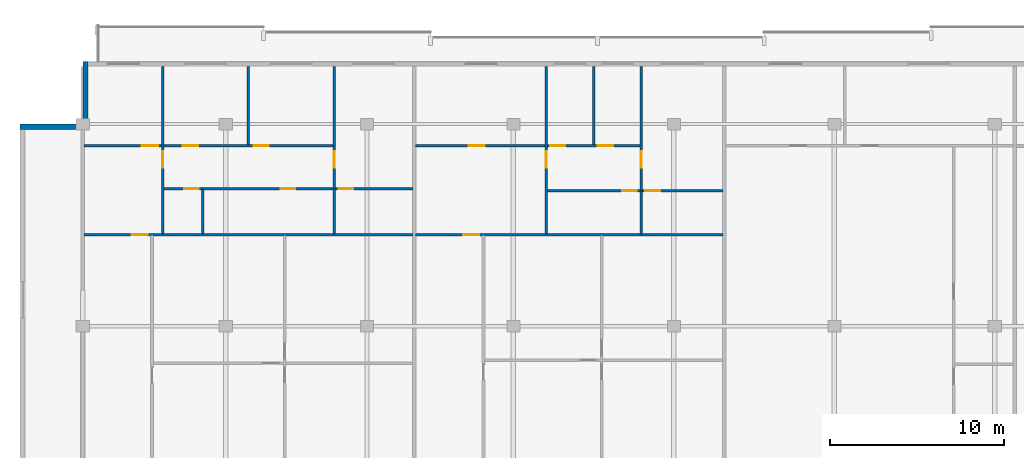
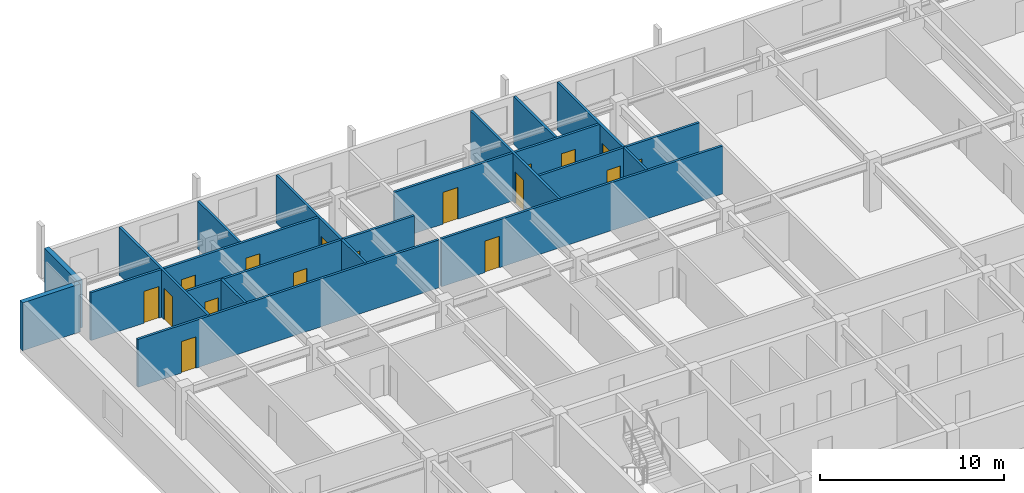
# One storey, part 7 of 11: 17 doors, 17 walls, 17 openings.
"""IFC4 building model written with IfcOpenShell, lengths in metres."""

import ifcopenshell
import ifcopenshell.guid

model = None  # the IFC model being written
_history = None  # IfcOwnerHistory: only IFC2X3 demands one
_inside = {}  # id of a spatial element -> (the spatial element, [elements in it])
_under = {}  # id of a project, library or spatial element -> (it, [spatial elements below it])
_declared = {}  # id of a project -> (the project, [libraries it declares])
_typed = {}  # id of a type object -> (the type object, [elements of that type])
_made_of = {}  # id of a material, layer set ... -> (it, [elements and type objects made of it])


def new_model(schema):
    """Start an empty IFC model of exactly this schema.

    Asked for "IFC4X3", IfcOpenShell would pick the latest addendum, in which some entities
    have other attributes; the version numbers below select the first issue.
    IFC2X3 requires an IfcOwnerHistory on every rooted entity: one is made here for all.
    """
    global model, _history
    if schema == "IFC4X3":
        model = ifcopenshell.file(schema_version=(4, 3, 0, 0))
    else:
        model = ifcopenshell.file(schema=schema)
    _inside.clear()
    _under.clear()
    _declared.clear()
    _typed.clear()
    _made_of.clear()
    _history = None
    if model.schema == "IFC2X3":
        org = make("IfcOrganization", Name="unknown")
        user = make(
            "IfcPersonAndOrganization",
            ThePerson=make("IfcPerson", FamilyName="unknown"),
            TheOrganization=org,
        )
        app = make(
            "IfcApplication",
            ApplicationDeveloper=org,
            Version="unknown",
            ApplicationFullName="unknown",
            ApplicationIdentifier="unknown",
        )
        _history = make(
            "IfcOwnerHistory",
            OwningUser=user,
            OwningApplication=app,
            ChangeAction="ADDED",
            CreationDate=0,
        )
    return model


def make(cls, **values):
    """One entity of the class cls with the attributes given. An attribute that is None is left unset."""
    return model.create_entity(
        cls, **{name: value for name, value in values.items() if value is not None}
    )


def rooted(cls, **values):
    """An entity with a GlobalId (a new one), such as an element, a storey or a relation."""
    return make(cls, GlobalId=ifcopenshell.guid.new(), OwnerHistory=_history, **values)


def si_unit(unit_type, name, prefix=None):
    """IfcSIUnit, for example si_unit("LENGTHUNIT", "METRE", prefix="MILLI")."""
    return make("IfcSIUnit", UnitType=unit_type, Prefix=prefix, Name=name)


def assignment(units):
    """IfcUnitAssignment: the units of a project."""
    return None if units is None else make("IfcUnitAssignment", Units=units)


def point(xyz):
    """IfcCartesianPoint."""
    return None if xyz is None else make("IfcCartesianPoint", Coordinates=xyz)


def direction(xyz):
    """IfcDirection."""
    return None if xyz is None else make("IfcDirection", DirectionRatios=xyz)


def frame(location, z_axis=None, x_axis=None):
    """IfcAxis2Placement3D, a coordinate frame: its origin and axes. An axis left out is left unset."""
    return make(
        "IfcAxis2Placement3D",
        Location=point(location),
        Axis=direction(z_axis),
        RefDirection=direction(x_axis),
    )


def frame_2d(location, x_axis=None):
    """IfcAxis2Placement2D, a coordinate frame in the plane: its origin and x axis."""
    return make(
        "IfcAxis2Placement2D", Location=point(location), RefDirection=direction(x_axis)
    )


def origin():
    """The frame at (0, 0, 0) with its axes left unset."""
    return frame((0.0, 0.0, 0.0))


def place(relative_to, where):
    """IfcLocalPlacement: puts the frame where relative to a parent placement (None: the world)."""
    return make(
        "IfcLocalPlacement", PlacementRelTo=relative_to, RelativePlacement=where
    )


def context(
    kind, dimensions, precision=None, world=None, true_north=None, identifier=None
):
    """IfcGeometricRepresentationContext, for example the 3D "Model" context."""
    return make(
        "IfcGeometricRepresentationContext",
        ContextIdentifier=identifier,
        ContextType=kind,
        CoordinateSpaceDimension=dimensions,
        Precision=precision,
        WorldCoordinateSystem=world,
        TrueNorth=true_north,
    )


def subcontext(parent, identifier, kind, view, scale=None):
    """IfcGeometricRepresentationSubContext, for example "Body" below "Model"."""
    return make(
        "IfcGeometricRepresentationSubContext",
        ContextIdentifier=identifier,
        ContextType=kind,
        ParentContext=parent,
        TargetScale=scale,
        TargetView=view,
    )


def project(units=None, contexts=None):
    """IfcProject with its units and contexts."""
    return rooted(
        "IfcProject",
        Name="project",
        RepresentationContexts=contexts,
        UnitsInContext=assignment(units),
    )


def spatial(cls, under=None, at=None, **own):
    """A site, building, storey or space (cls), placed at a placement, below another one or the project."""
    s = rooted(cls, ObjectPlacement=at, **own)
    if under is not None:
        _under.setdefault(under.id(), (under, []))[1].append(s)
    return s


def profile(cls, at=None, kind="AREA", **sizes):
    """A parametric profile (cls). Its sizes go by their IFC names, for example OverallWidth=200.0."""
    return make(cls, ProfileType=kind, Position=at, **sizes)


def rectangle(**sizes):
    """IfcRectangleProfileDef."""
    return profile("IfcRectangleProfileDef", **sizes)


def extrude(swept, where, along, depth):
    """IfcExtrudedAreaSolid: the profile swept, set in the frame where, extruded along a direction by depth."""
    return make(
        "IfcExtrudedAreaSolid",
        SweptArea=swept,
        Position=where,
        ExtrudedDirection=direction(along),
        Depth=depth,
    )


def shape(context_of_items, identifier, shape_type, items):
    """IfcShapeRepresentation: the items that make up one representation, for example the "Body"."""
    return make(
        "IfcShapeRepresentation",
        ContextOfItems=context_of_items,
        RepresentationIdentifier=identifier,
        RepresentationType=shape_type,
        Items=items,
    )


def material(Name=None, Category=None):
    """IfcMaterial."""
    return make("IfcMaterial", Name=Name, Category=Category)


def layer(
    of_material, thickness, ventilated=None, Name=None, Category=None, Priority=None
):
    """IfcMaterialLayer: one layer of a wall or slab, of a material (None: an air gap)."""
    return make(
        "IfcMaterialLayer",
        Material=of_material,
        LayerThickness=thickness,
        IsVentilated=ventilated,
        Name=Name,
        Category=Category,
        Priority=Priority,
    )


def layer_set(layers, Name=None):
    """IfcMaterialLayerSet."""
    return make("IfcMaterialLayerSet", MaterialLayers=layers, LayerSetName=Name)


def made_of(thing, what):
    """Note that an element or type object is made of a material, layer set ...; save() writes the relation."""
    if what is not None:
        _made_of.setdefault(what.id(), (what, []))[1].append(thing)
    return thing


def type_object(cls, material=None, **own):
    """A type object (cls), such as IfcWallType, which elements share."""
    return made_of(rooted(cls, **own), material)


def element(
    cls,
    number,
    at=None,
    inside=None,
    cuts=None,
    type_object=None,
    material=None,
    context=None,
    identifier="Body",
    shape_type=None,
    held_by="IfcProductDefinitionShape",
    body=None,
    shapes=None,
    **own,
):
    """One element of the class cls, such as IfcWall. Its Tag is "e" and its number.

    at: its placement. inside: the storey or other place that contains it. cuts: it is an
    opening in that element (IfcRelVoidsElement). A single representation is given by context,
    identifier, shape_type and body (its items); several are given by shapes. held_by: the class
    of the entity that holds the representations. save() writes the other relations.
    """
    e = rooted(cls, Tag="e%d" % number, ObjectPlacement=at, **own)
    if body is not None:
        shapes = [shape(context, identifier, shape_type, body)]
    if shapes is not None:
        e.Representation = make(held_by, Representations=shapes)
    if inside is not None:
        _inside.setdefault(inside.id(), (inside, []))[1].append(e)
    if cuts is not None:
        rooted(
            "IfcRelVoidsElement", RelatingBuildingElement=cuts, RelatedOpeningElement=e
        )
    if type_object is not None:
        _typed.setdefault(type_object.id(), (type_object, []))[1].append(e)
    return made_of(e, material)


def fill(opening, filler):
    """IfcRelFillsElement: the door or window that sits in an opening."""
    return rooted(
        "IfcRelFillsElement",
        RelatingOpeningElement=opening,
        RelatedBuildingElement=filler,
    )


def aggregate(whole, parts):
    """IfcRelAggregates: a whole, such as a stair, and the parts it consists of."""
    return rooted("IfcRelAggregates", RelatingObject=whole, RelatedObjects=parts)


def save(model, path):
    """Write the relations noted so far, then the file.

    IfcRelAggregates (storeys below a building ...), IfcRelContainedInSpatialStructure (elements
    in a storey), IfcRelDefinesByType, IfcRelAssociatesMaterial and IfcRelDeclares: one each for
    every whole, place, type object, material and project.
    """
    for whole, parts in _under.values():
        aggregate(whole, parts)
    for where, things in _inside.values():
        rooted(
            "IfcRelContainedInSpatialStructure",
            RelatedElements=things,
            RelatingStructure=where,
        )
    for kind, things in _typed.values():
        rooted("IfcRelDefinesByType", RelatedObjects=things, RelatingType=kind)
    for what, things in _made_of.values():
        rooted("IfcRelAssociatesMaterial", RelatedObjects=things, RelatingMaterial=what)
    for by, libraries in _declared.values():
        rooted("IfcRelDeclares", RelatingContext=by, RelatedDefinitions=libraries)
    model.write(path)


model = new_model("IFC4")

# Units and contexts
model_context = context("Model", 3, precision=1e-05, world=origin(), true_north=direction((0.0, 1.0)))
body_context = subcontext(model_context, "Body", "Model", "MODEL_VIEW")
ifc_project = project(units=[si_unit("LENGTHUNIT", "METRE"), si_unit("AREAUNIT", "SQUARE_METRE"), si_unit("VOLUMEUNIT", "CUBIC_METRE"), si_unit("PLANEANGLEUNIT", "RADIAN"), si_unit("MASSUNIT", "GRAM", prefix="KILO")], contexts=[model_context])

# Site, building, storey
site_placement = place(None, origin())
site = spatial("IfcSite", under=ifc_project, at=site_placement, CompositionType="ELEMENT")
building_placement = place(site_placement, origin())
building = spatial("IfcBuilding", under=site, at=building_placement, Name="Korimba Cascade Residences", CompositionType="ELEMENT")
storey_placement = place(building_placement, frame((0.0, 0.0, 252.800048828125)))
storey = spatial("IfcBuildingStorey", under=building, at=storey_placement, Name="L73", CompositionType="ELEMENT", Elevation=252.800048828125)

# Walls
ifc_material_1 = material(Name="Precast concrete C40/50", Category="concrete")
ifc_layer_1 = layer(ifc_material_1, 0.300048828125)
ifc_layer_set_1 = layer_set([ifc_layer_1], Name="Precast concrete C40/50")
wall_type_1 = type_object("IfcWallType", Name="EW-STONE-300", PredefinedType="STANDARD", material=ifc_layer_set_1)
for number, where, z_axis, x_axis, name in (
    (1, (59.949951171875, 94.800048828125, 0.0), (0.0, 0.0, 1.0), (0.0, -1.0, 0.0), "L73 T1 Perimeter Stone Wall E07"),
    (2, (59.800048828125, 91.050048828125, 0.0), (0.0, 0.0, 1.0), (-1.0, 0.0, 0.0), "L73 T1 Perimeter Stone Wall E08"),
):
    element("IfcWall", number, at=place(storey_placement, frame(where, z_axis=z_axis, x_axis=x_axis)), inside=storey, type_object=wall_type_1, Name=name, PredefinedType="STANDARD", context=body_context, shape_type="SweptSolid", body=[
        extrude(rectangle(XDim=3.60009765625, YDim=0.300048828125, at=frame_2d((1.800048828125, 0.0))), origin(), (0.0, 0.0, 1.0), 3.169921875),
    ])
ifc_material_2 = material(Name="Insulated Acoustic Stud Partition", Category="gypsum")
ifc_layer_2 = layer(ifc_material_2, 0.14990234375)
ifc_layer_set_2 = layer_set([ifc_layer_2], Name="Insulated Acoustic Stud Partition")
wall_type_2 = type_object("IfcWallType", Name="WAL-PART-150", PredefinedType="PARTITIONING", material=ifc_layer_set_2)
wall_1_placement = place(storey_placement, frame((66.68994140625, 84.889892578125, 0.0), z_axis=(0.0, 0.0, 1.0), x_axis=(0.0, 1.0, 0.0)))
element("IfcWall", 3, at=wall_1_placement, inside=storey, type_object=wall_type_2, Name="L73 Partition Wall WAL-L73-T1-U01-VDRS", PredefinedType="PARTITIONING", context=body_context, shape_type="SweptSolid", body=[
    extrude(rectangle(XDim=2.580078125, YDim=0.14990234375, at=frame_2d((1.2900390625, 0.0))), origin(), (0.0, 0.0, 1.0), 3.169921875),
])
wall_2_placement = place(storey_placement, frame((69.300048828125, 90.030029296875, 0.0), z_axis=(0.0, 0.0, 1.0), x_axis=(0.0, 1.0, 0.0)))
element("IfcWall", 4, at=wall_2_placement, inside=storey, type_object=wall_type_2, Name="L73 Partition Wall WAL-L73-T1-U01-VB3", PredefinedType="PARTITIONING", context=body_context, shape_type="SweptSolid", body=[
    extrude(rectangle(XDim=4.469970703125, YDim=0.14990234375, at=frame_2d((2.23486328125, 0.0))), origin(), (0.0, 0.0, 1.0), 3.169921875),
])

# Wall, opening, door
wall_3_placement = place(storey_placement, frame((64.3798828125, 84.889892578125, 0.0), z_axis=(0.0, 0.0, 1.0), x_axis=(0.0, 1.0, 0.0)))
wall_3 = element("IfcWall", 5, at=wall_3_placement, inside=storey, type_object=wall_type_2, Name="L73 Partition Wall WAL-L73-T1-U01-V1", PredefinedType="PARTITIONING", context=body_context, shape_type="SweptSolid", body=[
    extrude(rectangle(XDim=9.610107421875, YDim=0.14990234375, at=frame_2d((4.80517578125, 0.0))), origin(), (0.0, 0.0, 1.0), 3.169921875),
])
opening_1_placement = place(wall_3_placement, frame((3.820068359375, 0.0, 0.0)))
opening_1 = element("IfcOpeningElement", 6, at=opening_1_placement, cuts=wall_3, Name="Opening D-IN1", PredefinedType="OPENING", context=body_context, shape_type="SweptSolid", body=[
    extrude(rectangle(XDim=0.919921875, YDim=2.080078125, at=frame_2d((0.4599609375, 1.0400390625))), frame((0.0, 0.0849609375, 0.0), z_axis=(0.0, -1.0, 0.0), x_axis=(1.0, 0.0, 0.0)), (0.0, 0.0, 1.0), 0.169921875),
])
ifc_material_3 = material(Name="Acoustic Timber Living Door", Category="wood")
door_type_1 = type_object("IfcDoorType", Name="DR-INT-920", OperationType="NOTDEFINED", PredefinedType="DOOR", material=ifc_material_3)
door_1_placement = place(opening_1_placement, origin())
door_1 = element("IfcDoor", 7, at=door_1_placement, inside=storey, type_object=door_type_1, Name="L73-T1-U01 Hallway Door", OperationType="SINGLE_SWING_LEFT", OverallHeight=2.080078125, OverallWidth=0.919921875, PredefinedType="DOOR", context=body_context, shape_type="SweptSolid", body=[
    extrude(rectangle(XDim=0.919921875, YDim=2.080078125, at=frame_2d((0.4599609375, 1.0400390625))), frame((0.0, 0.02490234375, 0.0), z_axis=(0.0, -1.0, 0.0), x_axis=(1.0, 0.0, 0.0)), (0.0, 0.0, 1.0), 0.050048828125),
])
fill(opening_1, door_1)

# Wall
wall_4_placement = place(storey_placement, frame((74.219970703125, 84.889892578125, 0.0), z_axis=(0.0, 0.0, 1.0), x_axis=(0.0, 1.0, 0.0)))
element("IfcWall", 8, at=wall_4_placement, inside=storey, type_object=wall_type_2, Name="L73 Partition Wall WAL-L73-T1-U01-VBATH", PredefinedType="PARTITIONING", context=body_context, shape_type="SweptSolid", body=[
    extrude(rectangle(XDim=2.580078125, YDim=0.14990234375, at=frame_2d((1.2900390625, 0.0))), origin(), (0.0, 0.0, 1.0), 3.169921875),
])

# Wall, opening, door
wall_5_placement = place(storey_placement, frame((74.219970703125, 87.510009765625, 0.0), z_axis=(0.0, 0.0, 1.0), x_axis=(0.0, 1.0, 0.0)))
wall_5 = element("IfcWall", 9, at=wall_5_placement, inside=storey, type_object=wall_type_2, Name="L73 Partition Wall WAL-L73-T1-U01-V2FULL", PredefinedType="PARTITIONING", context=body_context, shape_type="SweptSolid", body=[
    extrude(rectangle(XDim=6.989990234375, YDim=0.14990234375, at=frame_2d((3.4951171875, 0.0))), origin(), (0.0, 0.0, 1.0), 3.169921875),
])
opening_2_placement = place(wall_5_placement, frame((1.199951171875, 0.0, 0.0)))
opening_2 = element("IfcOpeningElement", 10, at=opening_2_placement, cuts=wall_5, Name="Opening D-IN1", PredefinedType="OPENING", context=body_context, shape_type="SweptSolid", body=[
    extrude(rectangle(XDim=0.919921875, YDim=2.080078125, at=frame_2d((0.4599609375, 1.0400390625))), frame((0.0, 0.0849609375, 0.0), z_axis=(0.0, -1.0, 0.0), x_axis=(1.0, 0.0, 0.0)), (0.0, 0.0, 1.0), 0.169921875),
])
door_2_placement = place(opening_2_placement, origin())
door_2 = element("IfcDoor", 11, at=door_2_placement, inside=storey, type_object=door_type_1, Name="L73-T1-U01 Master Bedroom Door", OperationType="SINGLE_SWING_RIGHT", OverallHeight=2.080078125, OverallWidth=0.919921875, PredefinedType="DOOR", context=body_context, shape_type="SweptSolid", body=[
    extrude(rectangle(XDim=0.919921875, YDim=2.080078125, at=frame_2d((0.4599609375, 1.0400390625))), frame((0.0, 0.02490234375, 0.0), z_axis=(0.0, -1.0, 0.0), x_axis=(1.0, 0.0, 0.0)), (0.0, 0.0, 1.0), 0.050048828125),
])
fill(opening_2, door_2)

# Wall, openings, doors
wall_6_placement = place(storey_placement, frame((64.419921875, 87.489990234375, 0.0), z_axis=(0.0, 0.0, 1.0), x_axis=(1.0, 0.0, 0.0)))
wall_6 = element("IfcWall", 12, at=wall_6_placement, inside=storey, type_object=wall_type_2, Name="L73 Partition Wall WAL-L73-T1-U01-HWALL", PredefinedType="PARTITIONING", context=body_context, shape_type="SweptSolid", body=[
    extrude(rectangle(XDim=14.30908203125, YDim=0.14990234375, at=frame_2d((7.154541015625, 0.0))), origin(), (0.0, 0.0, 1.0), 3.169921875),
])
opening_3_placement = place(wall_6_placement, frame((1.19091796875, 0.0, 0.0)))
opening_3 = element("IfcOpeningElement", 13, at=opening_3_placement, cuts=wall_6, Name="Opening D-BT1", PredefinedType="OPENING", context=body_context, shape_type="SweptSolid", body=[
    extrude(rectangle(XDim=0.840087890625, YDim=2.0400390625, at=frame_2d((0.419921875, 1.02001953125))), frame((0.0, 0.0849609375, 0.0), z_axis=(0.0, -1.0, 0.0), x_axis=(1.0, 0.0, 0.0)), (0.0, 0.0, 1.0), 0.169921875),
])
opening_4_placement = place(wall_6_placement, frame((6.734619140625, 0.0, 0.0)))
opening_4 = element("IfcOpeningElement", 14, at=opening_4_placement, cuts=wall_6, Name="Opening D-BT1", PredefinedType="OPENING", context=body_context, shape_type="SweptSolid", body=[
    extrude(rectangle(XDim=0.840087890625, YDim=2.0400390625, at=frame_2d((0.419921875, 1.02001953125))), frame((0.0, 0.0849609375, 0.0), z_axis=(0.0, -1.0, 0.0), x_axis=(1.0, 0.0, 0.0)), (0.0, 0.0, 1.0), 0.169921875),
])
opening_5_placement = place(wall_6_placement, frame((10.050048828125, 0.0, 0.0)))
opening_5 = element("IfcOpeningElement", 15, at=opening_5_placement, cuts=wall_6, Name="Opening D-BT1", PredefinedType="OPENING", context=body_context, shape_type="SweptSolid", body=[
    extrude(rectangle(XDim=0.840087890625, YDim=2.0400390625, at=frame_2d((0.419921875, 1.02001953125))), frame((0.0, 0.0849609375, 0.0), z_axis=(0.0, -1.0, 0.0), x_axis=(1.0, 0.0, 0.0)), (0.0, 0.0, 1.0), 0.169921875),
])
ifc_material_4 = material(Name="Moisture-Resistant Bathroom Timber Door", Category="wood")
door_type_2 = type_object("IfcDoorType", Name="DR-INT-850", OperationType="NOTDEFINED", PredefinedType="DOOR", material=ifc_material_4)
door_3_placement = place(opening_3_placement, origin())
door_3 = element("IfcDoor", 16, at=door_3_placement, inside=storey, type_object=door_type_2, Name="L73-T1-U01 Family Bathroom Door", OperationType="SINGLE_SWING_LEFT", OverallHeight=2.0400390625, OverallWidth=0.840087890625, PredefinedType="DOOR", context=body_context, shape_type="SweptSolid", body=[
    extrude(rectangle(XDim=0.840087890625, YDim=2.0400390625, at=frame_2d((0.419921875, 1.02001953125))), frame((0.0, 0.02490234375, 0.0), z_axis=(0.0, -1.0, 0.0), x_axis=(1.0, 0.0, 0.0)), (0.0, 0.0, 1.0), 0.050048828125),
])
fill(opening_3, door_3)
door_4_placement = place(opening_4_placement, origin())
door_4 = element("IfcDoor", 17, at=door_4_placement, inside=storey, type_object=door_type_2, Name="L73-T1-U01 Dressing Room Door", OperationType="SINGLE_SWING_RIGHT", OverallHeight=2.0400390625, OverallWidth=0.840087890625, PredefinedType="DOOR", context=body_context, shape_type="SweptSolid", body=[
    extrude(rectangle(XDim=0.840087890625, YDim=2.0400390625, at=frame_2d((0.419921875, 1.02001953125))), frame((0.0, 0.02490234375, 0.0), z_axis=(0.0, -1.0, 0.0), x_axis=(1.0, 0.0, 0.0)), (0.0, 0.0, 1.0), 0.050048828125),
])
fill(opening_4, door_4)
door_5_placement = place(opening_5_placement, origin())
door_5 = element("IfcDoor", 18, at=door_5_placement, inside=storey, type_object=door_type_2, Name="L73-T1-U01 En-Suite Door", OperationType="SINGLE_SWING_LEFT", OverallHeight=2.0400390625, OverallWidth=0.840087890625, PredefinedType="DOOR", context=body_context, shape_type="SweptSolid", body=[
    extrude(rectangle(XDim=0.840087890625, YDim=2.0400390625, at=frame_2d((0.419921875, 1.02001953125))), frame((0.0, 0.02490234375, 0.0), z_axis=(0.0, -1.0, 0.0), x_axis=(1.0, 0.0, 0.0)), (0.0, 0.0, 1.0), 0.050048828125),
])
fill(opening_5, door_5)

# Wall, opening, door
wall_7_placement = place(storey_placement, frame((59.8798828125, 84.85009765625, 0.0), z_axis=(0.0, 0.0, 1.0), x_axis=(1.0, 0.0, 0.0)))
wall_7 = element("IfcWall", 19, at=wall_7_placement, inside=storey, type_object=wall_type_2, Name="L73 Partition Wall WAL-L73-T1-U01-MW", PredefinedType="PARTITIONING", context=body_context, shape_type="SweptSolid", body=[
    extrude(rectangle(XDim=18.84912109375, YDim=0.14990234375, at=frame_2d((9.424560546875, 0.0))), origin(), (0.0, 0.0, 1.0), 3.169921875),
])
opening_6_placement = place(wall_7_placement, frame((2.719970703125, 0.0, 0.0)))
opening_6 = element("IfcOpeningElement", 20, at=opening_6_placement, cuts=wall_7, Name="Opening D-IN1", PredefinedType="OPENING", context=body_context, shape_type="SweptSolid", body=[
    extrude(rectangle(XDim=0.919921875, YDim=2.080078125, at=frame_2d((0.4599609375, 1.0400390625))), frame((0.0, 0.0849609375, 0.0), z_axis=(0.0, -1.0, 0.0), x_axis=(1.0, 0.0, 0.0)), (0.0, 0.0, 1.0), 0.169921875),
])
door_6_placement = place(opening_6_placement, origin())
door_6 = element("IfcDoor", 21, at=door_6_placement, inside=storey, type_object=door_type_1, Name="L73-T1-U01 Kitchen Door", OperationType="SINGLE_SWING_RIGHT", OverallHeight=2.080078125, OverallWidth=0.919921875, PredefinedType="DOOR", context=body_context, shape_type="SweptSolid", body=[
    extrude(rectangle(XDim=0.919921875, YDim=2.080078125, at=frame_2d((0.4599609375, 1.0400390625))), frame((0.0, 0.02490234375, 0.0), z_axis=(0.0, -1.0, 0.0), x_axis=(1.0, 0.0, 0.0)), (0.0, 0.0, 1.0), 0.050048828125),
])
fill(opening_6, door_6)

# Wall, openings, doors
wall_8_placement = place(storey_placement, frame((59.8798828125, 89.949951171875, 0.0), z_axis=(0.0, 0.0, 1.0), x_axis=(1.0, 0.0, 0.0)))
wall_8 = element("IfcWall", 22, at=wall_8_placement, inside=storey, type_object=wall_type_2, Name="L73 Partition Wall WAL-L73-T1-U01-HZ", PredefinedType="PARTITIONING", context=body_context, shape_type="SweptSolid", body=[
    extrude(rectangle(XDim=14.340087890625, YDim=0.14990234375, at=frame_2d((7.169921875, 0.0))), origin(), (0.0, 0.0, 1.0), 3.169921875),
])
opening_7_placement = place(wall_8_placement, frame((3.31005859375, 0.0, 0.0)))
opening_7 = element("IfcOpeningElement", 23, at=opening_7_placement, cuts=wall_8, Name="Opening D-IN0", PredefinedType="OPENING", context=body_context, shape_type="SweptSolid", body=[
    extrude(rectangle(XDim=0.93994140625, YDim=2.10009765625, at=frame_2d((0.469970703125, 1.050048828125))), frame((0.0, 0.0849609375, 0.0), z_axis=(0.0, -1.0, 0.0), x_axis=(1.0, 0.0, 0.0)), (0.0, 0.0, 1.0), 0.169921875),
])
opening_8_placement = place(wall_8_placement, frame((5.656005859375, 0.0, 0.0)))
opening_8 = element("IfcOpeningElement", 24, at=opening_8_placement, cuts=wall_8, Name="Opening D-IN2", PredefinedType="OPENING", context=body_context, shape_type="SweptSolid", body=[
    extrude(rectangle(XDim=0.8798828125, YDim=2.06005859375, at=frame_2d((0.43994140625, 1.030029296875))), frame((0.0, 0.0849609375, 0.0), z_axis=(0.0, -1.0, 0.0), x_axis=(1.0, 0.0, 0.0)), (0.0, 0.0, 1.0), 0.169921875),
])
opening_9_placement = place(wall_8_placement, frame((9.7119140625, 0.0, 0.0)))
opening_9 = element("IfcOpeningElement", 25, at=opening_9_placement, cuts=wall_8, Name="Opening D-IN2", PredefinedType="OPENING", context=body_context, shape_type="SweptSolid", body=[
    extrude(rectangle(XDim=0.8798828125, YDim=2.06005859375, at=frame_2d((0.43994140625, 1.030029296875))), frame((0.0, 0.0849609375, 0.0), z_axis=(0.0, -1.0, 0.0), x_axis=(1.0, 0.0, 0.0)), (0.0, 0.0, 1.0), 0.169921875),
])
ifc_material_5 = material(Name="Acoustic Timber Bedroom Door", Category="wood")
door_type_3 = type_object("IfcDoorType", Name="DR-INT-880", OperationType="NOTDEFINED", PredefinedType="DOOR", material=ifc_material_5)
door_7_placement = place(opening_8_placement, origin())
door_7 = element("IfcDoor", 26, at=door_7_placement, inside=storey, type_object=door_type_3, Name="L73-T1-U01 Bedroom 2 Door", OperationType="SINGLE_SWING_RIGHT", OverallHeight=2.06005859375, OverallWidth=0.8798828125, PredefinedType="DOOR", context=body_context, shape_type="SweptSolid", body=[
    extrude(rectangle(XDim=0.8798828125, YDim=2.06005859375, at=frame_2d((0.43994140625, 1.030029296875))), frame((0.0, 0.02490234375, 0.0), z_axis=(0.0, -1.0, 0.0), x_axis=(1.0, 0.0, 0.0)), (0.0, 0.0, 1.0), 0.050048828125),
])
fill(opening_8, door_7)
door_8_placement = place(opening_9_placement, origin())
door_8 = element("IfcDoor", 27, at=door_8_placement, inside=storey, type_object=door_type_3, Name="L73-T1-U01 Bedroom 3 Door", OperationType="SINGLE_SWING_LEFT", OverallHeight=2.06005859375, OverallWidth=0.8798828125, PredefinedType="DOOR", context=body_context, shape_type="SweptSolid", body=[
    extrude(rectangle(XDim=0.8798828125, YDim=2.06005859375, at=frame_2d((0.43994140625, 1.030029296875))), frame((0.0, 0.02490234375, 0.0), z_axis=(0.0, -1.0, 0.0), x_axis=(1.0, 0.0, 0.0)), (0.0, 0.0, 1.0), 0.050048828125),
])
fill(opening_9, door_8)
ifc_material_6 = material(Name="Acoustic Timber Living Archway Door", Category="wood")
door_type_4 = type_object("IfcDoorType", Name="DR-INT-950", OperationType="NOTDEFINED", PredefinedType="DOOR", material=ifc_material_6)
door_9_placement = place(opening_7_placement, origin())
door_9 = element("IfcDoor", 28, at=door_9_placement, inside=storey, type_object=door_type_4, Name="L73-T1-U01 Living Room Door", OperationType="SINGLE_SWING_LEFT", OverallHeight=2.10009765625, OverallWidth=0.93994140625, PredefinedType="DOOR", context=body_context, shape_type="SweptSolid", body=[
    extrude(rectangle(XDim=0.93994140625, YDim=2.10009765625, at=frame_2d((0.469970703125, 1.050048828125))), frame((0.0, 0.02490234375, 0.0), z_axis=(0.0, -1.0, 0.0), x_axis=(1.0, 0.0, 0.0)), (0.0, 0.0, 1.0), 0.050048828125),
])
fill(opening_7, door_9)

# Wall
wall_9_placement = place(storey_placement, frame((89.099365234375, 90.030029296875, 0.0), z_axis=(0.0, 0.0, 1.0), x_axis=(0.0, 1.0, 0.0)))
element("IfcWall", 29, at=wall_9_placement, inside=storey, type_object=wall_type_2, Name="L73 Partition Wall WAL-L73-T1-U02-VB3", PredefinedType="PARTITIONING", context=body_context, shape_type="SweptSolid", body=[
    extrude(rectangle(XDim=4.469970703125, YDim=0.14990234375, at=frame_2d((2.23486328125, 0.0))), origin(), (0.0, 0.0, 1.0), 3.169921875),
])

# Wall, opening, door
wall_10_placement = place(storey_placement, frame((86.3798828125, 84.889892578125, 0.0), z_axis=(0.0, 0.0, 1.0), x_axis=(0.0, 1.0, 0.0)))
wall_10 = element("IfcWall", 30, at=wall_10_placement, inside=storey, type_object=wall_type_2, Name="L73 Partition Wall WAL-L73-T1-U02-V1", PredefinedType="PARTITIONING", context=body_context, shape_type="SweptSolid", body=[
    extrude(rectangle(XDim=9.610107421875, YDim=0.14990234375, at=frame_2d((4.80517578125, 0.0))), origin(), (0.0, 0.0, 1.0), 3.169921875),
])
opening_10_placement = place(wall_10_placement, frame((3.820068359375, 0.0, 0.0)))
opening_10 = element("IfcOpeningElement", 31, at=opening_10_placement, cuts=wall_10, Name="Opening D-IN1", PredefinedType="OPENING", context=body_context, shape_type="SweptSolid", body=[
    extrude(rectangle(XDim=0.919921875, YDim=2.080078125, at=frame_2d((0.4599609375, 1.0400390625))), frame((0.0, 0.0849609375, 0.0), z_axis=(0.0, -1.0, 0.0), x_axis=(1.0, 0.0, 0.0)), (0.0, 0.0, 1.0), 0.169921875),
])
door_10_placement = place(opening_10_placement, origin())
door_10 = element("IfcDoor", 32, at=door_10_placement, inside=storey, type_object=door_type_1, Name="L73-T1-U02 Hallway Door", OperationType="SINGLE_SWING_RIGHT", OverallHeight=2.080078125, OverallWidth=0.919921875, PredefinedType="DOOR", context=body_context, shape_type="SweptSolid", body=[
    extrude(rectangle(XDim=0.919921875, YDim=2.080078125, at=frame_2d((0.4599609375, 1.0400390625))), frame((0.0, 0.02490234375, 0.0), z_axis=(0.0, -1.0, 0.0), x_axis=(1.0, 0.0, 0.0)), (0.0, 0.0, 1.0), 0.050048828125),
])
fill(opening_10, door_10)

# Wall
wall_11_placement = place(storey_placement, frame((91.818603515625, 84.889892578125, 0.0), z_axis=(0.0, 0.0, 1.0), x_axis=(0.0, 1.0, 0.0)))
element("IfcWall", 33, at=wall_11_placement, inside=storey, type_object=wall_type_2, Name="L73 Partition Wall WAL-L73-T1-U02-VBATH", PredefinedType="PARTITIONING", context=body_context, shape_type="SweptSolid", body=[
    extrude(rectangle(XDim=2.47021484375, YDim=0.14990234375, at=frame_2d((1.235107421875, 0.0))), origin(), (0.0, 0.0, 1.0), 3.169921875),
])

# Wall, opening, door
wall_12_placement = place(storey_placement, frame((91.818603515625, 87.39990234375, 0.0), z_axis=(0.0, 0.0, 1.0), x_axis=(0.0, 1.0, 0.0)))
wall_12 = element("IfcWall", 34, at=wall_12_placement, inside=storey, type_object=wall_type_2, Name="L73 Partition Wall WAL-L73-T1-U02-V2FULL", PredefinedType="PARTITIONING", context=body_context, shape_type="SweptSolid", body=[
    extrude(rectangle(XDim=7.10009765625, YDim=0.14990234375, at=frame_2d((3.550048828125, 0.0))), origin(), (0.0, 0.0, 1.0), 3.169921875),
])
opening_11_placement = place(wall_12_placement, frame((1.31005859375, 0.0, 0.0)))
opening_11 = element("IfcOpeningElement", 35, at=opening_11_placement, cuts=wall_12, Name="Opening D-IN1", PredefinedType="OPENING", context=body_context, shape_type="SweptSolid", body=[
    extrude(rectangle(XDim=0.919921875, YDim=2.080078125, at=frame_2d((0.4599609375, 1.0400390625))), frame((0.0, 0.0849609375, 0.0), z_axis=(0.0, -1.0, 0.0), x_axis=(1.0, 0.0, 0.0)), (0.0, 0.0, 1.0), 0.169921875),
])
door_11_placement = place(opening_11_placement, origin())
door_11 = element("IfcDoor", 36, at=door_11_placement, inside=storey, type_object=door_type_1, Name="L73-T1-U02 Master Bedroom Door", OperationType="SINGLE_SWING_LEFT", OverallHeight=2.080078125, OverallWidth=0.919921875, PredefinedType="DOOR", context=body_context, shape_type="SweptSolid", body=[
    extrude(rectangle(XDim=0.919921875, YDim=2.080078125, at=frame_2d((0.4599609375, 1.0400390625))), frame((0.0, 0.02490234375, 0.0), z_axis=(0.0, -1.0, 0.0), x_axis=(1.0, 0.0, 0.0)), (0.0, 0.0, 1.0), 0.050048828125),
])
fill(opening_11, door_11)

# Wall, openings, doors
wall_13_placement = place(storey_placement, frame((86.419921875, 87.3798828125, 0.0), z_axis=(0.0, 0.0, 1.0), x_axis=(1.0, 0.0, 0.0)))
wall_13 = element("IfcWall", 37, at=wall_13_placement, inside=storey, type_object=wall_type_2, Name="L73 Partition Wall WAL-L73-T1-U02-HWALL", PredefinedType="PARTITIONING", context=body_context, shape_type="SweptSolid", body=[
    extrude(rectangle(XDim=10.088623046875, YDim=0.14990234375, at=frame_2d((5.04443359375, 0.0))), origin(), (0.0, 0.0, 1.0), 3.169921875),
])
opening_12_placement = place(wall_13_placement, frame((4.30859375, 0.0, 0.0)))
opening_12 = element("IfcOpeningElement", 38, at=opening_12_placement, cuts=wall_13, Name="Opening D-BT1", PredefinedType="OPENING", context=body_context, shape_type="SweptSolid", body=[
    extrude(rectangle(XDim=0.840087890625, YDim=2.0400390625, at=frame_2d((0.419921875, 1.02001953125))), frame((0.0, 0.0849609375, 0.0), z_axis=(0.0, -1.0, 0.0), x_axis=(1.0, 0.0, 0.0)), (0.0, 0.0, 1.0), 0.169921875),
])
opening_13_placement = place(wall_13_placement, frame((5.648681640625, 0.0, 0.0)))
opening_13 = element("IfcOpeningElement", 39, at=opening_13_placement, cuts=wall_13, Name="Opening D-BT1", PredefinedType="OPENING", context=body_context, shape_type="SweptSolid", body=[
    extrude(rectangle(XDim=0.840087890625, YDim=2.0400390625, at=frame_2d((0.419921875, 1.02001953125))), frame((0.0, 0.0849609375, 0.0), z_axis=(0.0, -1.0, 0.0), x_axis=(1.0, 0.0, 0.0)), (0.0, 0.0, 1.0), 0.169921875),
])
door_12_placement = place(opening_12_placement, origin())
door_12 = element("IfcDoor", 40, at=door_12_placement, inside=storey, type_object=door_type_2, Name="L73-T1-U02 Family Bathroom Door", OperationType="SINGLE_SWING_RIGHT", OverallHeight=2.0400390625, OverallWidth=0.840087890625, PredefinedType="DOOR", context=body_context, shape_type="SweptSolid", body=[
    extrude(rectangle(XDim=0.840087890625, YDim=2.0400390625, at=frame_2d((0.419921875, 1.02001953125))), frame((0.0, 0.02490234375, 0.0), z_axis=(0.0, -1.0, 0.0), x_axis=(1.0, 0.0, 0.0)), (0.0, 0.0, 1.0), 0.050048828125),
])
fill(opening_12, door_12)
door_13_placement = place(opening_13_placement, origin())
door_13 = element("IfcDoor", 41, at=door_13_placement, inside=storey, type_object=door_type_2, Name="L73-T1-U02 En-Suite Door", OperationType="SINGLE_SWING_LEFT", OverallHeight=2.0400390625, OverallWidth=0.840087890625, PredefinedType="DOOR", context=body_context, shape_type="SweptSolid", body=[
    extrude(rectangle(XDim=0.840087890625, YDim=2.0400390625, at=frame_2d((0.419921875, 1.02001953125))), frame((0.0, 0.02490234375, 0.0), z_axis=(0.0, -1.0, 0.0), x_axis=(1.0, 0.0, 0.0)), (0.0, 0.0, 1.0), 0.050048828125),
])
fill(opening_13, door_13)

# Wall, opening, door
wall_14_placement = place(storey_placement, frame((78.88916015625, 84.85009765625, 0.0), z_axis=(0.0, 0.0, 1.0), x_axis=(1.0, 0.0, 0.0)))
wall_14 = element("IfcWall", 42, at=wall_14_placement, inside=storey, type_object=wall_type_2, Name="L73 Partition Wall WAL-L73-T1-U02-MW", PredefinedType="PARTITIONING", context=body_context, shape_type="SweptSolid", body=[
    extrude(rectangle(XDim=17.619384765625, YDim=0.14990234375, at=frame_2d((8.8095703125, 0.0))), origin(), (0.0, 0.0, 1.0), 3.169921875),
])
opening_14_placement = place(wall_14_placement, frame((2.719970703125, 0.0, 0.0)))
opening_14 = element("IfcOpeningElement", 43, at=opening_14_placement, cuts=wall_14, Name="Opening D-IN1", PredefinedType="OPENING", context=body_context, shape_type="SweptSolid", body=[
    extrude(rectangle(XDim=0.919921875, YDim=2.080078125, at=frame_2d((0.4599609375, 1.0400390625))), frame((0.0, 0.0849609375, 0.0), z_axis=(0.0, -1.0, 0.0), x_axis=(1.0, 0.0, 0.0)), (0.0, 0.0, 1.0), 0.169921875),
])
door_14_placement = place(opening_14_placement, origin())
door_14 = element("IfcDoor", 44, at=door_14_placement, inside=storey, type_object=door_type_1, Name="L73-T1-U02 Kitchen Door", OperationType="SINGLE_SWING_RIGHT", OverallHeight=2.080078125, OverallWidth=0.919921875, PredefinedType="DOOR", context=body_context, shape_type="SweptSolid", body=[
    extrude(rectangle(XDim=0.919921875, YDim=2.080078125, at=frame_2d((0.4599609375, 1.0400390625))), frame((0.0, 0.02490234375, 0.0), z_axis=(0.0, -1.0, 0.0), x_axis=(1.0, 0.0, 0.0)), (0.0, 0.0, 1.0), 0.050048828125),
])
fill(opening_14, door_14)

# Wall, openings, doors
wall_15_placement = place(storey_placement, frame((78.88916015625, 89.949951171875, 0.0), z_axis=(0.0, 0.0, 1.0), x_axis=(1.0, 0.0, 0.0)))
wall_15 = element("IfcWall", 45, at=wall_15_placement, inside=storey, type_object=wall_type_2, Name="L73 Partition Wall WAL-L73-T1-U02-HZ", PredefinedType="PARTITIONING", context=body_context, shape_type="SweptSolid", body=[
    extrude(rectangle(XDim=12.929443359375, YDim=0.14990234375, at=frame_2d((6.46484375, 0.0))), origin(), (0.0, 0.0, 1.0), 3.169921875),
])
opening_15_placement = place(wall_15_placement, frame((3.033447265625, 0.0, 0.0)))
opening_15 = element("IfcOpeningElement", 46, at=opening_15_placement, cuts=wall_15, Name="Opening D-IN0", PredefinedType="OPENING", context=body_context, shape_type="SweptSolid", body=[
    extrude(rectangle(XDim=0.93994140625, YDim=2.10009765625, at=frame_2d((0.469970703125, 1.050048828125))), frame((0.0, 0.0849609375, 0.0), z_axis=(0.0, -1.0, 0.0), x_axis=(1.0, 0.0, 0.0)), (0.0, 0.0, 1.0), 0.169921875),
])
opening_16_placement = place(wall_15_placement, frame((7.7109375, 0.0, 0.0)))
opening_16 = element("IfcOpeningElement", 47, at=opening_16_placement, cuts=wall_15, Name="Opening D-IN2", PredefinedType="OPENING", context=body_context, shape_type="SweptSolid", body=[
    extrude(rectangle(XDim=0.8798828125, YDim=2.06005859375, at=frame_2d((0.43994140625, 1.030029296875))), frame((0.0, 0.0849609375, 0.0), z_axis=(0.0, -1.0, 0.0), x_axis=(1.0, 0.0, 0.0)), (0.0, 0.0, 1.0), 0.169921875),
])
opening_17_placement = place(wall_15_placement, frame((10.458251953125, 0.0, 0.0)))
opening_17 = element("IfcOpeningElement", 48, at=opening_17_placement, cuts=wall_15, Name="Opening D-IN2", PredefinedType="OPENING", context=body_context, shape_type="SweptSolid", body=[
    extrude(rectangle(XDim=0.8798828125, YDim=2.06005859375, at=frame_2d((0.43994140625, 1.030029296875))), frame((0.0, 0.0849609375, 0.0), z_axis=(0.0, -1.0, 0.0), x_axis=(1.0, 0.0, 0.0)), (0.0, 0.0, 1.0), 0.169921875),
])
door_15_placement = place(opening_16_placement, origin())
door_15 = element("IfcDoor", 49, at=door_15_placement, inside=storey, type_object=door_type_3, Name="L73-T1-U02 Bedroom 2 Door", OperationType="SINGLE_SWING_RIGHT", OverallHeight=2.06005859375, OverallWidth=0.8798828125, PredefinedType="DOOR", context=body_context, shape_type="SweptSolid", body=[
    extrude(rectangle(XDim=0.8798828125, YDim=2.06005859375, at=frame_2d((0.43994140625, 1.030029296875))), frame((0.0, 0.02490234375, 0.0), z_axis=(0.0, -1.0, 0.0), x_axis=(1.0, 0.0, 0.0)), (0.0, 0.0, 1.0), 0.050048828125),
])
fill(opening_16, door_15)
door_16_placement = place(opening_17_placement, origin())
door_16 = element("IfcDoor", 50, at=door_16_placement, inside=storey, type_object=door_type_3, Name="L73-T1-U02 Bedroom 3 Door", OperationType="SINGLE_SWING_LEFT", OverallHeight=2.06005859375, OverallWidth=0.8798828125, PredefinedType="DOOR", context=body_context, shape_type="SweptSolid", body=[
    extrude(rectangle(XDim=0.8798828125, YDim=2.06005859375, at=frame_2d((0.43994140625, 1.030029296875))), frame((0.0, 0.02490234375, 0.0), z_axis=(0.0, -1.0, 0.0), x_axis=(1.0, 0.0, 0.0)), (0.0, 0.0, 1.0), 0.050048828125),
])
fill(opening_17, door_16)
door_17_placement = place(opening_15_placement, origin())
door_17 = element("IfcDoor", 51, at=door_17_placement, inside=storey, type_object=door_type_4, Name="L73-T1-U02 Living Room Door", OperationType="SINGLE_SWING_LEFT", OverallHeight=2.10009765625, OverallWidth=0.93994140625, PredefinedType="DOOR", context=body_context, shape_type="SweptSolid", body=[
    extrude(rectangle(XDim=0.93994140625, YDim=2.10009765625, at=frame_2d((0.469970703125, 1.050048828125))), frame((0.0, 0.02490234375, 0.0), z_axis=(0.0, -1.0, 0.0), x_axis=(1.0, 0.0, 0.0)), (0.0, 0.0, 1.0), 0.050048828125),
])
fill(opening_15, door_17)

save(model, "model.ifc")
